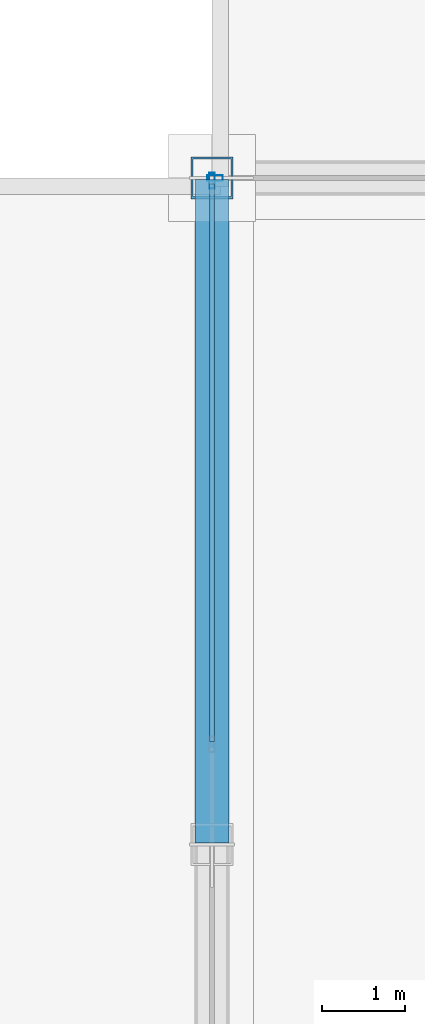
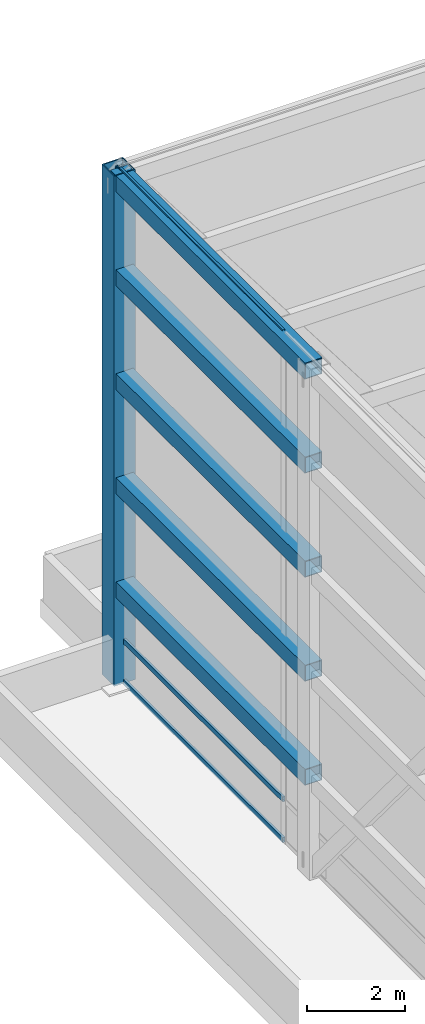
# One storey, part 9 of 23: 6 members, 5 beams, 2 elements without a shape of their own.
"""IFC4 building model written with IfcOpenShell, lengths in metres."""

import ifcopenshell
import ifcopenshell.guid

model = None  # the IFC model being written
_history = None  # IfcOwnerHistory: only IFC2X3 demands one
_inside = {}  # id of a spatial element -> (the spatial element, [elements in it])
_under = {}  # id of a project, library or spatial element -> (it, [spatial elements below it])
_declared = {}  # id of a project -> (the project, [libraries it declares])
_typed = {}  # id of a type object -> (the type object, [elements of that type])
_made_of = {}  # id of a material, layer set ... -> (it, [elements and type objects made of it])


def new_model(schema):
    """Start an empty IFC model of exactly this schema.

    Asked for "IFC4X3", IfcOpenShell would pick the latest addendum, in which some entities
    have other attributes; the version numbers below select the first issue.
    IFC2X3 requires an IfcOwnerHistory on every rooted entity: one is made here for all.
    """
    global model, _history
    if schema == "IFC4X3":
        model = ifcopenshell.file(schema_version=(4, 3, 0, 0))
    else:
        model = ifcopenshell.file(schema=schema)
    _inside.clear()
    _under.clear()
    _declared.clear()
    _typed.clear()
    _made_of.clear()
    _history = None
    if model.schema == "IFC2X3":
        org = make("IfcOrganization", Name="unknown")
        user = make(
            "IfcPersonAndOrganization",
            ThePerson=make("IfcPerson", FamilyName="unknown"),
            TheOrganization=org,
        )
        app = make(
            "IfcApplication",
            ApplicationDeveloper=org,
            Version="unknown",
            ApplicationFullName="unknown",
            ApplicationIdentifier="unknown",
        )
        _history = make(
            "IfcOwnerHistory",
            OwningUser=user,
            OwningApplication=app,
            ChangeAction="ADDED",
            CreationDate=0,
        )
    return model


def make(cls, **values):
    """One entity of the class cls with the attributes given. An attribute that is None is left unset."""
    return model.create_entity(
        cls, **{name: value for name, value in values.items() if value is not None}
    )


def rooted(cls, **values):
    """An entity with a GlobalId (a new one), such as an element, a storey or a relation."""
    return make(cls, GlobalId=ifcopenshell.guid.new(), OwnerHistory=_history, **values)


def si_unit(unit_type, name, prefix=None):
    """IfcSIUnit, for example si_unit("LENGTHUNIT", "METRE", prefix="MILLI")."""
    return make("IfcSIUnit", UnitType=unit_type, Prefix=prefix, Name=name)


def assignment(units):
    """IfcUnitAssignment: the units of a project."""
    return None if units is None else make("IfcUnitAssignment", Units=units)


def point(xyz):
    """IfcCartesianPoint."""
    return None if xyz is None else make("IfcCartesianPoint", Coordinates=xyz)


def direction(xyz):
    """IfcDirection."""
    return None if xyz is None else make("IfcDirection", DirectionRatios=xyz)


def frame(location, z_axis=None, x_axis=None):
    """IfcAxis2Placement3D, a coordinate frame: its origin and axes. An axis left out is left unset."""
    return make(
        "IfcAxis2Placement3D",
        Location=point(location),
        Axis=direction(z_axis),
        RefDirection=direction(x_axis),
    )


def frame_2d(location, x_axis=None):
    """IfcAxis2Placement2D, a coordinate frame in the plane: its origin and x axis."""
    return make(
        "IfcAxis2Placement2D", Location=point(location), RefDirection=direction(x_axis)
    )


def origin():
    """The frame at (0, 0, 0) with its axes left unset."""
    return frame((0.0, 0.0, 0.0))


def origin_2d():
    """The frame at (0, 0) in the plane with its x axis left unset."""
    return frame_2d((0.0, 0.0))


def place(relative_to, where):
    """IfcLocalPlacement: puts the frame where relative to a parent placement (None: the world)."""
    return make(
        "IfcLocalPlacement", PlacementRelTo=relative_to, RelativePlacement=where
    )


def context(
    kind, dimensions, precision=None, world=None, true_north=None, identifier=None
):
    """IfcGeometricRepresentationContext, for example the 3D "Model" context."""
    return make(
        "IfcGeometricRepresentationContext",
        ContextIdentifier=identifier,
        ContextType=kind,
        CoordinateSpaceDimension=dimensions,
        Precision=precision,
        WorldCoordinateSystem=world,
        TrueNorth=true_north,
    )


def subcontext(parent, identifier, kind, view, scale=None):
    """IfcGeometricRepresentationSubContext, for example "Body" below "Model"."""
    return make(
        "IfcGeometricRepresentationSubContext",
        ContextIdentifier=identifier,
        ContextType=kind,
        ParentContext=parent,
        TargetScale=scale,
        TargetView=view,
    )


def project(units=None, contexts=None):
    """IfcProject with its units and contexts."""
    return rooted(
        "IfcProject",
        Name="project",
        RepresentationContexts=contexts,
        UnitsInContext=assignment(units),
    )


def spatial(cls, under=None, at=None, **own):
    """A site, building, storey or space (cls), placed at a placement, below another one or the project."""
    s = rooted(cls, ObjectPlacement=at, **own)
    if under is not None:
        _under.setdefault(under.id(), (under, []))[1].append(s)
    return s


def profile(cls, at=None, kind="AREA", **sizes):
    """A parametric profile (cls). Its sizes go by their IFC names, for example OverallWidth=200.0."""
    return make(cls, ProfileType=kind, Position=at, **sizes)


def hollow_rectangle(**sizes):
    """IfcRectangleHollowProfileDef."""
    return profile("IfcRectangleHollowProfileDef", **sizes)


def extrude(swept, where, along, depth):
    """IfcExtrudedAreaSolid: the profile swept, set in the frame where, extruded along a direction by depth."""
    return make(
        "IfcExtrudedAreaSolid",
        SweptArea=swept,
        Position=where,
        ExtrudedDirection=direction(along),
        Depth=depth,
    )


def shape(context_of_items, identifier, shape_type, items):
    """IfcShapeRepresentation: the items that make up one representation, for example the "Body"."""
    return make(
        "IfcShapeRepresentation",
        ContextOfItems=context_of_items,
        RepresentationIdentifier=identifier,
        RepresentationType=shape_type,
        Items=items,
    )


def source(mapping_origin, context_of_items, identifier, shape_type, items):
    """IfcRepresentationMap: a shape defined once, which mapped items show again and again."""
    return make(
        "IfcRepresentationMap",
        MappingOrigin=mapping_origin,
        MappedRepresentation=shape(context_of_items, identifier, shape_type, items),
    )


def transform(
    local_origin,
    x_axis=None,
    y_axis=None,
    z_axis=None,
    scale=None,
    scale2=None,
    scale3=None,
    uniform=True,
):
    """IfcCartesianTransformationOperator3D, or its non-uniform kind. x_axis, y_axis, z_axis: its Axis1, 2, 3."""
    if uniform:
        return make(
            "IfcCartesianTransformationOperator3D",
            Axis1=direction(x_axis),
            Axis2=direction(y_axis),
            LocalOrigin=point(local_origin),
            Scale=scale,
            Axis3=direction(z_axis),
        )
    return make(
        "IfcCartesianTransformationOperator3DnonUniform",
        Axis1=direction(x_axis),
        Axis2=direction(y_axis),
        LocalOrigin=point(local_origin),
        Scale=scale,
        Axis3=direction(z_axis),
        Scale2=scale2,
        Scale3=scale3,
    )


def mapped(mapping_source, mapping_target):
    """IfcMappedItem: shows the shape of a source again, moved by a transform."""
    return make(
        "IfcMappedItem", MappingSource=mapping_source, MappingTarget=mapping_target
    )


def material(Name=None, Category=None):
    """IfcMaterial."""
    return make("IfcMaterial", Name=Name, Category=Category)


def layer(
    of_material, thickness, ventilated=None, Name=None, Category=None, Priority=None
):
    """IfcMaterialLayer: one layer of a wall or slab, of a material (None: an air gap)."""
    return make(
        "IfcMaterialLayer",
        Material=of_material,
        LayerThickness=thickness,
        IsVentilated=ventilated,
        Name=Name,
        Category=Category,
        Priority=Priority,
    )


def layer_set(layers, Name=None):
    """IfcMaterialLayerSet."""
    return make("IfcMaterialLayerSet", MaterialLayers=layers, LayerSetName=Name)


def material_profile(
    of_material, cross_section, Name=None, Category=None, Priority=None
):
    """IfcMaterialProfile: a cross section and its material."""
    return make(
        "IfcMaterialProfile",
        Name=Name,
        Material=of_material,
        Profile=cross_section,
        Priority=Priority,
        Category=Category,
    )


def profile_set(profiles, Name=None, composite=None):
    """IfcMaterialProfileSet."""
    return make(
        "IfcMaterialProfileSet",
        Name=Name,
        MaterialProfiles=profiles,
        CompositeProfile=composite,
    )


def made_of(thing, what):
    """Note that an element or type object is made of a material, layer set ...; save() writes the relation."""
    if what is not None:
        _made_of.setdefault(what.id(), (what, []))[1].append(thing)
    return thing


def type_object(cls, material=None, **own):
    """A type object (cls), such as IfcWallType, which elements share."""
    return made_of(rooted(cls, **own), material)


def type_shapes(of_type, sources):
    """Give a type object the sources (RepresentationMaps) that its elements show as mapped items."""
    of_type.RepresentationMaps = sources


def element(
    cls,
    number,
    at=None,
    inside=None,
    cuts=None,
    type_object=None,
    material=None,
    context=None,
    identifier="Body",
    shape_type=None,
    held_by="IfcProductDefinitionShape",
    body=None,
    shapes=None,
    **own,
):
    """One element of the class cls, such as IfcWall. Its Tag is "e" and its number.

    at: its placement. inside: the storey or other place that contains it. cuts: it is an
    opening in that element (IfcRelVoidsElement). A single representation is given by context,
    identifier, shape_type and body (its items); several are given by shapes. held_by: the class
    of the entity that holds the representations. save() writes the other relations.
    """
    e = rooted(cls, Tag="e%d" % number, ObjectPlacement=at, **own)
    if body is not None:
        shapes = [shape(context, identifier, shape_type, body)]
    if shapes is not None:
        e.Representation = make(held_by, Representations=shapes)
    if inside is not None:
        _inside.setdefault(inside.id(), (inside, []))[1].append(e)
    if cuts is not None:
        rooted(
            "IfcRelVoidsElement", RelatingBuildingElement=cuts, RelatedOpeningElement=e
        )
    if type_object is not None:
        _typed.setdefault(type_object.id(), (type_object, []))[1].append(e)
    return made_of(e, material)


def aggregate(whole, parts):
    """IfcRelAggregates: a whole, such as a stair, and the parts it consists of."""
    return rooted("IfcRelAggregates", RelatingObject=whole, RelatedObjects=parts)


def save(model, path):
    """Write the relations noted so far, then the file.

    IfcRelAggregates (storeys below a building ...), IfcRelContainedInSpatialStructure (elements
    in a storey), IfcRelDefinesByType, IfcRelAssociatesMaterial and IfcRelDeclares: one each for
    every whole, place, type object, material and project.
    """
    for whole, parts in _under.values():
        aggregate(whole, parts)
    for where, things in _inside.values():
        rooted(
            "IfcRelContainedInSpatialStructure",
            RelatedElements=things,
            RelatingStructure=where,
        )
    for kind, things in _typed.values():
        rooted("IfcRelDefinesByType", RelatedObjects=things, RelatingType=kind)
    for what, things in _made_of.values():
        rooted("IfcRelAssociatesMaterial", RelatedObjects=things, RelatingMaterial=what)
    for by, libraries in _declared.values():
        rooted("IfcRelDeclares", RelatingContext=by, RelatedDefinitions=libraries)
    model.write(path)


model = new_model("IFC4")

# Units and contexts
model_context = context("Model", 3, precision=1e-05, world=origin(), true_north=direction((0.0, 1.0)))
body_context = subcontext(model_context, "Body", "Model", "MODEL_VIEW")
ifc_project = project(units=[si_unit("LENGTHUNIT", "METRE"), si_unit("AREAUNIT", "SQUARE_METRE"), si_unit("VOLUMEUNIT", "CUBIC_METRE"), si_unit("PLANEANGLEUNIT", "RADIAN"), si_unit("MASSUNIT", "GRAM", prefix="KILO")], contexts=[model_context])

# Site, building, storey
site_placement = place(None, origin())
site = spatial("IfcSite", under=ifc_project, at=site_placement, CompositionType="ELEMENT")
building_placement = place(site_placement, origin())
building = spatial("IfcBuilding", under=site, at=building_placement, Name="Varnel Quay Broadcast Tower", CompositionType="ELEMENT")
storey_placement = place(building_placement, frame((0.0, 0.0, 319.800048828125)))
storey = spatial("IfcBuildingStorey", under=building, at=storey_placement, Name="Roof", CompositionType="ELEMENT", Elevation=319.800048828125)

# Member
ifc_material_1 = material(Name="Structural Steel CSA G40.21 350WT", Category="steel")
ifc_material_profile_1 = material_profile(ifc_material_1, hollow_rectangle(XDim=0.5, YDim=0.5, WallThickness=0.02490234375, at=origin_2d()), Name="BOX500X500X25")
ifc_profile_set_1 = profile_set([ifc_material_profile_1], Name="Structural Steel CSA G40.21 350WT")
member_type_1 = type_object("IfcMemberType", Name="CrownRingPost_BOX500", PredefinedType="POST", material=ifc_profile_set_1)
shared_shape_1 = source(origin(), body_context, "Body", "SweptSolid", [
    extrude(hollow_rectangle(XDim=0.5, YDim=0.5, WallThickness=0.02490234375, at=origin_2d()), origin(), (0.0, 0.0, 1.0), 12.75),
])
type_shapes(member_type_1, [shared_shape_1])
member_1_placement = place(storey_placement, frame((15.199951171875, 43.60009765625, 0.0), z_axis=(0.0, 0.0, 1.0), x_axis=(1.0, 0.0, 0.0)))
element("IfcMember", 1, at=member_1_placement, inside=storey, type_object=member_type_1, Name="CROWN FRAME Ring Post 12", PredefinedType="POST", context=body_context, shape_type="MappedRepresentation", body=[
    mapped(shared_shape_1, transform((0.0, 0.0, 0.0), x_axis=(1.0, 0.0, 0.0), y_axis=(0.0, 1.0, 0.0), z_axis=(0.0, 0.0, 1.0), scale=1.0)),
])

# Beams
ifc_material_profile_2 = material_profile(ifc_material_1, hollow_rectangle(XDim=0.406005859375, YDim=0.406005859375, WallThickness=0.01611328125, at=origin_2d()), Name="HSS406X406X16")
ifc_profile_set_2 = profile_set([ifc_material_profile_2], Name="Structural Steel CSA G40.21 350WT")
beam_type = type_object("IfcBeamType", Name="CrownRingBeam_HSS406", PredefinedType="BEAM", material=ifc_profile_set_2)
shared_shape_2 = source(origin(), body_context, "Body", "SweptSolid", [
    extrude(hollow_rectangle(XDim=0.406005859375, YDim=0.406005859375, WallThickness=0.01611328125, at=origin_2d()), origin(), (0.0, 0.0, 1.0), 7.9599609375),
])
type_shapes(beam_type, [shared_shape_2])
for number, where, z_axis, x_axis, name in (
    (2, (15.199951171875, 43.580078125, 2.39697265625), (0.0, -1.0, 0.0), (1.0, 0.0, 0.0), "CROWN FRAME Ring Tier 1 Beam 12"),
    (3, (15.199951171875, 43.580078125, 4.9970703125), (0.0, -1.0, 0.0), (1.0, 0.0, 0.0), "CROWN FRAME Ring Tier 2 Beam 12"),
    (4, (15.199951171875, 43.580078125, 7.596923828125), (0.0, -1.0, 0.0), (1.0, 0.0, 0.0), "CROWN FRAME Ring Tier 3 Beam 12"),
    (5, (15.199951171875, 43.580078125, 10.197021484375), (0.0, -1.0, 0.0), (1.0, 0.0, 0.0), "CROWN FRAME Ring Tier 4 Beam 12"),
    (6, (15.199951171875, 43.580078125, 12.546875), (0.0, -1.0, 0.0), (1.0, 0.0, 0.0), "CROWN FRAME Ring Tier 5 Beam 12"),
):
    element("IfcBeam", number, at=place(storey_placement, frame(where, z_axis=z_axis, x_axis=x_axis)), inside=storey, type_object=beam_type, Name=name, PredefinedType="BEAM", context=body_context, shape_type="MappedRepresentation", body=[
        mapped(shared_shape_2, transform((0.0, 0.0, 0.0), x_axis=(1.0, 0.0, 0.0), y_axis=(0.0, 1.0, 0.0), z_axis=(0.0, 0.0, 1.0), scale=1.0)),
    ])

# Curtain wall, member
ifc_material_2 = material(Name="Anodised Bronze Aluminium 6063-T6", Category="aluminium")
ifc_layer = layer(ifc_material_2, 0.18994140625, Name="Anodised Bronze Aluminium 6063-T6")
ifc_layer_set = layer_set([ifc_layer], Name="Anodised Bronze Aluminium 6063-T6")
curtain_wall_type = type_object("IfcCurtainWallType", Name="CW_CrownScreen", PredefinedType="NOTDEFINED", material=ifc_layer_set)
curtain_wall_1_placement = place(storey_placement, origin())
curtain_wall_1 = element("IfcCurtainWall", 7, at=curtain_wall_1_placement, inside=storey, type_object=curtain_wall_type, Name="Ring Crown Bronze Glazed Louvre Screen N2", PredefinedType="NOTDEFINED")
ifc_material_profile_3 = material_profile(ifc_material_2, hollow_rectangle(XDim=0.070068359375, YDim=0.18994140625, WallThickness=0.00390625, at=origin_2d()), Name="ALU70X190X4")
ifc_profile_set_3 = profile_set([ifc_material_profile_3], Name="Anodised Bronze Aluminium 6063-T6")
member_type_2 = type_object("IfcMemberType", Name="Mull_CWS-06", PredefinedType="MULLION", material=ifc_profile_set_3)
shared_shape_3 = source(origin(), body_context, "Body", "SweptSolid", [
    extrude(hollow_rectangle(XDim=0.070068359375, YDim=0.18994140625, WallThickness=0.00390625, at=origin_2d()), origin(), (0.0, 0.0, 1.0), 12.75),
])
type_shapes(member_type_2, [shared_shape_3])
member_2_placement = place(storey_placement, frame((15.235107421875, 43.60009765625, 0.0), z_axis=(0.0, 0.0, 1.0), x_axis=(0.0, -1.0, 0.0)))
member_2 = element("IfcMember", 8, at=member_2_placement, type_object=member_type_2, Name="CWS-06 mullion 3", PredefinedType="MULLION", context=body_context, shape_type="MappedRepresentation", body=[
    mapped(shared_shape_3, transform((0.0, 0.0, 0.0), x_axis=(1.0, 0.0, 0.0), y_axis=(0.0, 1.0, 0.0), z_axis=(0.0, 0.0, 1.0), scale=1.0)),
])
aggregate(curtain_wall_1, [member_2])

# Curtain wall, members
curtain_wall_2_placement = place(storey_placement, origin())
curtain_wall_2 = element("IfcCurtainWall", 9, at=curtain_wall_2_placement, inside=storey, type_object=curtain_wall_type, Name="Ring Crown Bronze Glazed Louvre Screen W1", PredefinedType="NOTDEFINED")
member_3_placement = place(storey_placement, frame((15.199951171875, 43.56494140625, 0.0), z_axis=(0.0, 0.0, 1.0), x_axis=(1.0, 0.0, 0.0)))
member_3 = element("IfcMember", 10, at=member_3_placement, type_object=member_type_2, Name="CWS-06 mullion 1", PredefinedType="MULLION", context=body_context, shape_type="MappedRepresentation", body=[
    mapped(shared_shape_3, transform((0.0, 0.0, 0.0), x_axis=(1.0, 0.0, 0.0), y_axis=(0.0, 1.0, 0.0), z_axis=(0.0, 0.0, 1.0), scale=1.0)),
])
ifc_material_profile_4 = material_profile(ifc_material_2, hollow_rectangle(XDim=0.06005859375, YDim=0.125, WallThickness=0.0029296875, at=origin_2d()), Name="ALU60X125X3")
ifc_profile_set_4 = profile_set([ifc_material_profile_4], Name="Anodised Bronze Aluminium 6063-T6")
member_type_3 = type_object("IfcMemberType", Name="Tran_CWS-06", PredefinedType="USERDEFINED", material=ifc_profile_set_4)
shared_shape_4 = source(origin(), body_context, "Body", "SweptSolid", [
    extrude(hollow_rectangle(XDim=0.06005859375, YDim=0.125, WallThickness=0.0029296875, at=origin_2d()), origin(), (0.0, 0.0, 1.0), 6.695068359375),
])
type_shapes(member_type_3, [shared_shape_4])
member_4_placement = place(storey_placement, frame((15.199951171875, 43.530029296875, 0.030029296875), z_axis=(0.0, -1.0, 0.0), x_axis=(1.0, 0.0, 0.0)))
member_4 = element("IfcMember", 11, at=member_4_placement, type_object=member_type_3, Name="CWS-06 transom 1.1", ObjectType="TRANSOM", PredefinedType="USERDEFINED", context=body_context, shape_type="MappedRepresentation", body=[
    mapped(shared_shape_4, transform((0.0, 0.0, 0.0), x_axis=(1.0, 0.0, 0.0), y_axis=(0.0, 1.0, 0.0), z_axis=(0.0, 0.0, 1.0), scale=1.0)),
])
member_5_placement = place(storey_placement, frame((15.199951171875, 43.530029296875, 1.050048828125), z_axis=(0.0, -1.0, 0.0), x_axis=(1.0, 0.0, 0.0)))
member_5 = element("IfcMember", 12, at=member_5_placement, type_object=member_type_3, Name="CWS-06 transom 1.2", ObjectType="TRANSOM", PredefinedType="USERDEFINED", context=body_context, shape_type="MappedRepresentation", body=[
    mapped(shared_shape_4, transform((0.0, 0.0, 0.0), x_axis=(1.0, 0.0, 0.0), y_axis=(0.0, 1.0, 0.0), z_axis=(0.0, 0.0, 1.0), scale=1.0)),
])
member_6_placement = place(storey_placement, frame((15.199951171875, 43.530029296875, 12.719970703125), z_axis=(0.0, -1.0, 0.0), x_axis=(1.0, 0.0, 0.0)))
member_6 = element("IfcMember", 13, at=member_6_placement, type_object=member_type_3, Name="CWS-06 transom 1.3", ObjectType="TRANSOM", PredefinedType="USERDEFINED", context=body_context, shape_type="MappedRepresentation", body=[
    mapped(shared_shape_4, transform((0.0, 0.0, 0.0), x_axis=(1.0, 0.0, 0.0), y_axis=(0.0, 1.0, 0.0), z_axis=(0.0, 0.0, 1.0), scale=1.0)),
])
aggregate(curtain_wall_2, [member_3, member_4, member_5, member_6])

save(model, "model.ifc")
